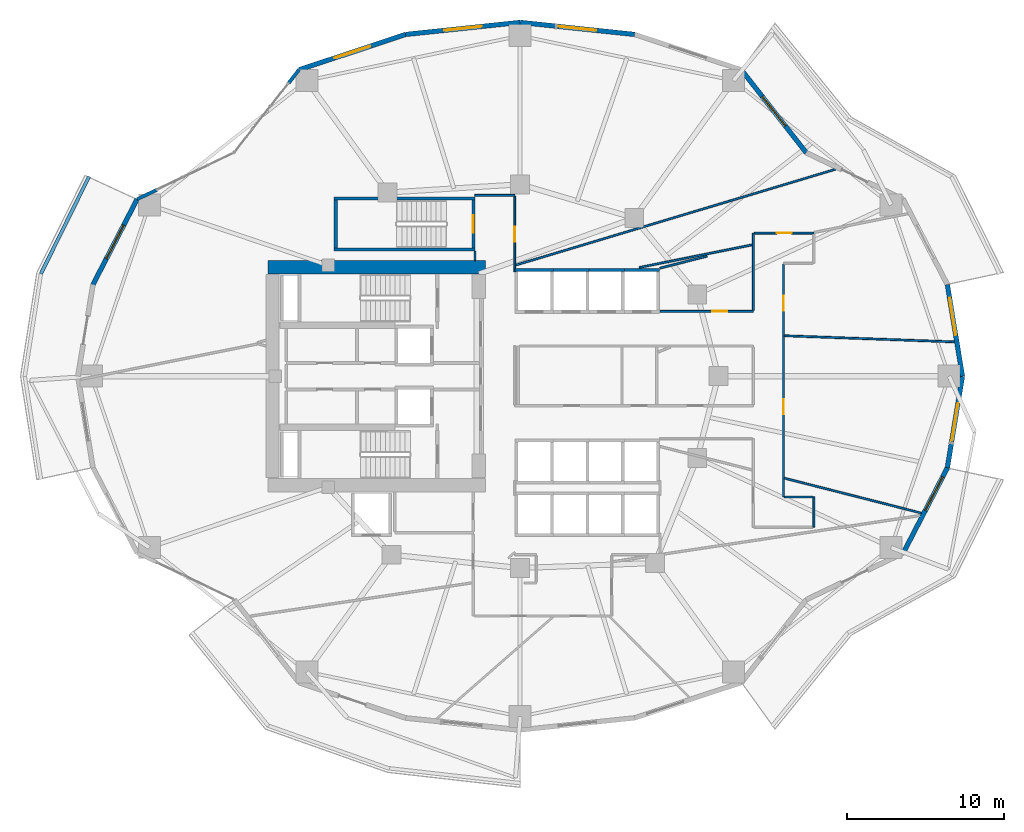
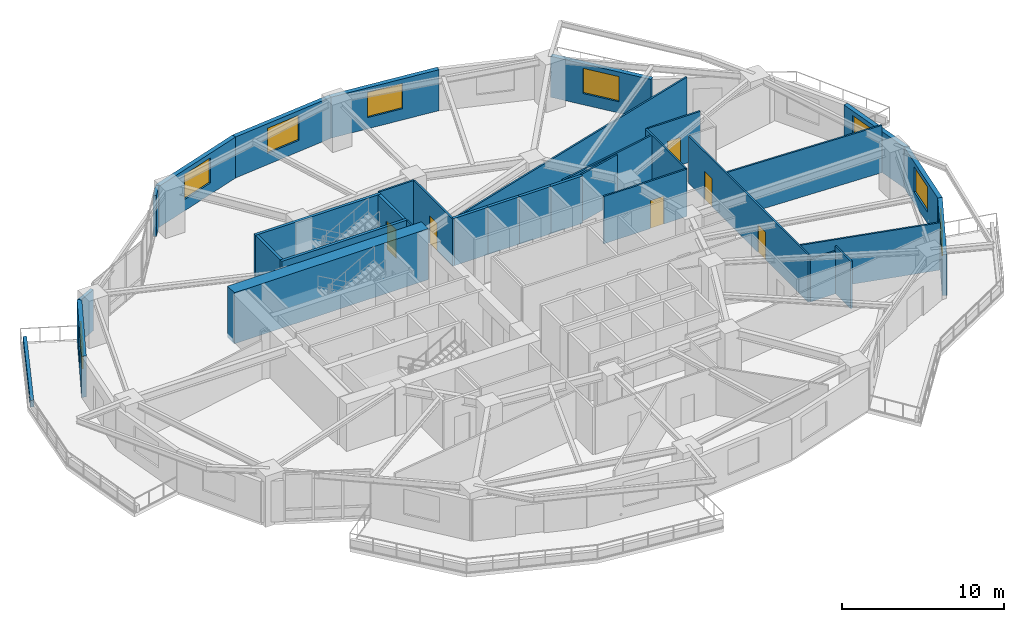
# One storey, part 9 of 14: 34 walls, 8 windows, 6 doors, 14 openings.
"""IFC4 building model written with IfcOpenShell, lengths in metres."""

from ifc_helpers import new_model, si_unit, direction, frame, frame_2d, origin, place, context, subcontext, project, spatial, rectangle, extrude, material, layer, layer_set, type_object, element, fill, save


model = new_model("IFC4")

# Units and contexts
model_context = context("Model", 3, precision=1e-05, world=origin(), true_north=direction((0.0, 1.0)))
body_context = subcontext(model_context, "Body", "Model", "MODEL_VIEW")
ifc_project = project(units=[si_unit("LENGTHUNIT", "METRE"), si_unit("AREAUNIT", "SQUARE_METRE"), si_unit("VOLUMEUNIT", "CUBIC_METRE"), si_unit("PLANEANGLEUNIT", "RADIAN"), si_unit("MASSUNIT", "GRAM", prefix="KILO")], contexts=[model_context])

# Site, building, storey
site_placement = place(None, origin())
site = spatial("IfcSite", under=ifc_project, at=site_placement, CompositionType="ELEMENT")
building_placement = place(site_placement, origin())
building = spatial("IfcBuilding", under=site, at=building_placement, Name="Kolvaren Gate Tower and Convention Centre", CompositionType="ELEMENT")
storey_placement = place(building_placement, frame((0.0, 0.0, 45.75)))
storey = spatial("IfcBuildingStorey", under=building, at=storey_placement, Name="L10", CompositionType="ELEMENT", Elevation=45.75)

# Walls
ifc_material_1 = material(Name="Fire-Rated Acoustic Gypsum Stud Partition", Category="gypsum")
ifc_layer_1 = layer(ifc_material_1, 0.1201171875)
ifc_layer_set_1 = layer_set([ifc_layer_1], Name="Fire-Rated Acoustic Gypsum Stud Partition")
wall_type_1 = type_object("IfcWallType", Name="ARCH-WL-PART-120", PredefinedType="PARTITIONING", material=ifc_layer_set_1)
wall_1_placement = place(storey_placement, frame((27.25, 34.35205078125, 0.0), z_axis=(0.0, 0.0, 1.0), x_axis=(0.0, 1.0, 0.0)))
element("IfcWall", 1, at=wall_1_placement, inside=storey, type_object=wall_type_1, Name="Interior Partition WL-L10-INT-021", PredefinedType="PARTITIONING", context=body_context, shape_type="SweptSolid", body=[
    extrude(rectangle(XDim=0.60595703125, YDim=0.1201171875, at=frame_2d((0.302978515625, 0.0))), origin(), (0.0, 0.0, 1.0), 3.570068359375),
])
wall_2_placement = place(storey_placement, frame((27.25, 38.5, 0.0), z_axis=(0.0, 0.0, 1.0), x_axis=(1.0, 0.0, 0.0)))
element("IfcWall", 2, at=wall_2_placement, inside=storey, type_object=wall_type_1, Name="Interior Partition WL-L10-INT-022", PredefinedType="PARTITIONING", context=body_context, shape_type="SweptSolid", body=[
    extrude(rectangle(XDim=2.530029296875, YDim=0.1201171875, at=frame_2d((1.26513671875, 0.0))), origin(), (0.0, 0.0, 1.0), 3.570068359375),
])

# Wall, opening, door
wall_3_placement = place(storey_placement, frame((29.780029296875, 33.639892578125, 0.0), z_axis=(0.0, 0.0, 1.0), x_axis=(0.0, 1.0, 0.0)))
wall_3 = element("IfcWall", 3, at=wall_3_placement, inside=storey, type_object=wall_type_1, Name="Interior Partition WL-L10-INT-025", PredefinedType="PARTITIONING", context=body_context, shape_type="SweptSolid", body=[
    extrude(rectangle(XDim=4.798095703125, YDim=0.1201171875, at=frame_2d((2.39892578125, 0.0))), origin(), (0.0, 0.0, 1.0), 3.570068359375),
])
opening_1_placement = place(wall_3_placement, frame((1.924072265625, 0.0, 0.0)))
opening_1 = element("IfcOpeningElement", 4, at=opening_1_placement, cuts=wall_3, Name="Opening DR-01", PredefinedType="OPENING", context=body_context, shape_type="SweptSolid", body=[
    extrude(rectangle(XDim=0.949951171875, YDim=2.10009765625, at=frame_2d((0.47509765625, 1.050048828125))), frame((0.0, 0.070068359375, 0.0), z_axis=(0.0, -1.0, 0.0), x_axis=(1.0, 0.0, 0.0)), (0.0, 0.0, 1.0), 0.14013671875),
])
ifc_material_2 = material(Name="Painted Architectural Steelwork ASTM A500 Grade C 345 MPa", Category="steel")
door_type_1 = type_object("IfcDoorType", Name="ARCH-DR-RISER-950", OperationType="SINGLE_SWING_RIGHT", PredefinedType="DOOR", material=ifc_material_2)
door_1_placement = place(opening_1_placement, origin())
door_1 = element("IfcDoor", 5, at=door_1_placement, inside=storey, type_object=door_type_1, Name="Open-Plan Office Suite Door", OperationType="SINGLE_SWING_RIGHT", OverallHeight=2.10009765625, OverallWidth=0.949951171875, PredefinedType="DOOR", context=body_context, shape_type="SweptSolid", body=[
    extrude(rectangle(XDim=0.949951171875, YDim=2.10009765625, at=frame_2d((0.47509765625, 1.050048828125))), frame((0.0, 0.02490234375, 0.0), z_axis=(0.0, -1.0, 0.0), x_axis=(1.0, 0.0, 0.0)), (0.0, 0.0, 1.0), 0.050048828125),
])
fill(opening_1, door_1)

wall_4_placement = place(storey_placement, frame((39.02001953125, 31.1201171875, 0.0), z_axis=(0.0, 0.0, 1.0), x_axis=(1.0, 0.0, 0.0)))
wall_4 = element("IfcWall", 6, at=wall_4_placement, inside=storey, type_object=wall_type_1, Name="Interior Partition WL-L10-INT-026", PredefinedType="PARTITIONING", context=body_context, shape_type="SweptSolid", body=[
    extrude(rectangle(XDim=5.929931640625, YDim=0.1201171875, at=frame_2d((2.96484375, 0.0))), origin(), (0.0, 0.0, 1.0), 3.570068359375),
])
opening_2_placement = place(wall_4_placement, frame((3.330078125, 0.0, 0.0)))
opening_2 = element("IfcOpeningElement", 7, at=opening_2_placement, cuts=wall_4, Name="Opening DR-01", PredefinedType="OPENING", context=body_context, shape_type="SweptSolid", body=[
    extrude(rectangle(XDim=0.949951171875, YDim=2.10009765625, at=frame_2d((0.47509765625, 1.050048828125))), frame((0.0, 0.070068359375, 0.0), z_axis=(0.0, -1.0, 0.0), x_axis=(1.0, 0.0, 0.0)), (0.0, 0.0, 1.0), 0.14013671875),
])
door_2_placement = place(opening_2_placement, origin())
door_2 = element("IfcDoor", 8, at=door_2_placement, inside=storey, type_object=door_type_1, Name="Quiet Reading Library Door", OperationType="SINGLE_SWING_RIGHT", OverallHeight=2.10009765625, OverallWidth=0.949951171875, PredefinedType="DOOR", context=body_context, shape_type="SweptSolid", body=[
    extrude(rectangle(XDim=0.949951171875, YDim=2.10009765625, at=frame_2d((0.47509765625, 1.050048828125))), frame((0.0, 0.02490234375, 0.0), z_axis=(0.0, -1.0, 0.0), x_axis=(1.0, 0.0, 0.0)), (0.0, 0.0, 1.0), 0.050048828125),
])
fill(opening_2, door_2)

# Wall
wall_5_placement = place(storey_placement, frame((44.949951171875, 31.181884765625, 0.0), z_axis=(0.0, 0.0, 1.0), x_axis=(0.0, 1.0, 0.0)))
element("IfcWall", 9, at=wall_5_placement, inside=storey, type_object=wall_type_1, Name="Interior Partition WL-L10-INT-029", PredefinedType="PARTITIONING", context=body_context, shape_type="SweptSolid", body=[
    extrude(rectangle(XDim=4.918212890625, YDim=0.1201171875, at=frame_2d((2.458984375, 0.0))), origin(), (0.0, 0.0, 1.0), 3.570068359375),
])

# Wall, opening, door
wall_6_placement = place(storey_placement, frame((45.011962890625, 36.10009765625, 0.0), z_axis=(0.0, 0.0, 1.0), x_axis=(1.0, 0.0, 0.0)))
wall_6 = element("IfcWall", 10, at=wall_6_placement, inside=storey, type_object=wall_type_1, Name="Interior Partition WL-L10-INT-030", PredefinedType="PARTITIONING", context=body_context, shape_type="SweptSolid", body=[
    extrude(rectangle(XDim=3.7880859375, YDim=0.1201171875, at=frame_2d((1.89404296875, 0.0))), origin(), (0.0, 0.0, 1.0), 3.570068359375),
])
opening_3_placement = place(wall_6_placement, frame((1.4189453125, 0.0, 0.0)))
opening_3 = element("IfcOpeningElement", 11, at=opening_3_placement, cuts=wall_6, Name="Opening DR-01", PredefinedType="OPENING", context=body_context, shape_type="SweptSolid", body=[
    extrude(rectangle(XDim=0.949951171875, YDim=2.10009765625, at=frame_2d((0.47509765625, 1.050048828125))), frame((0.0, 0.070068359375, 0.0), z_axis=(0.0, -1.0, 0.0), x_axis=(1.0, 0.0, 0.0)), (0.0, 0.0, 1.0), 0.14013671875),
])
door_3_placement = place(opening_3_placement, origin())
door_3 = element("IfcDoor", 12, at=door_3_placement, inside=storey, type_object=door_type_1, Name="Quiet Reading Clubroom Door", OperationType="SINGLE_SWING_LEFT", OverallHeight=2.10009765625, OverallWidth=0.949951171875, PredefinedType="DOOR", context=body_context, shape_type="SweptSolid", body=[
    extrude(rectangle(XDim=0.949951171875, YDim=2.10009765625, at=frame_2d((0.47509765625, 1.050048828125))), frame((0.0, 0.02490234375, 0.0), z_axis=(0.0, -1.0, 0.0), x_axis=(1.0, 0.0, 0.0)), (0.0, 0.0, 1.0), 0.050048828125),
])
fill(opening_3, door_3)

# Wall
wall_7_placement = place(storey_placement, frame((48.800048828125, 17.39990234375, 0.0), z_axis=(0.0, 0.0, 1.0), x_axis=(0.0, 1.0, 0.0)))
element("IfcWall", 13, at=wall_7_placement, inside=storey, type_object=wall_type_1, Name="Interior Partition WL-L10-INT-031", PredefinedType="PARTITIONING", context=body_context, shape_type="SweptSolid", body=[
    extrude(rectangle(XDim=1.920166015625, YDim=0.1201171875, at=frame_2d((0.9599609375, 0.0))), origin(), (0.0, 0.0, 1.0), 3.570068359375),
])

# Wall, openings, doors
wall_8_placement = place(storey_placement, frame((46.8701171875, 19.320068359375, 0.0), z_axis=(0.0, 0.0, 1.0), x_axis=(0.0, 1.0, 0.0)))
wall_8 = element("IfcWall", 14, at=wall_8_placement, inside=storey, type_object=wall_type_1, Name="Interior Partition WL-L10-INT-034", PredefinedType="PARTITIONING", context=body_context, shape_type="SweptSolid", body=[
    extrude(rectangle(XDim=14.7978515625, YDim=0.1201171875, at=frame_2d((7.39892578125, 0.0))), origin(), (0.0, 0.0, 1.0), 3.570068359375),
])
opening_4_placement = place(wall_8_placement, frame((5.264892578125, 0.0, 0.0)))
opening_4 = element("IfcOpeningElement", 15, at=opening_4_placement, cuts=wall_8, Name="Opening DR-01", PredefinedType="OPENING", context=body_context, shape_type="SweptSolid", body=[
    extrude(rectangle(XDim=0.949951171875, YDim=2.10009765625, at=frame_2d((0.47509765625, 1.050048828125))), frame((0.0, 0.070068359375, 0.0), z_axis=(0.0, -1.0, 0.0), x_axis=(1.0, 0.0, 0.0)), (0.0, 0.0, 1.0), 0.14013671875),
])
opening_5_placement = place(wall_8_placement, frame((11.845458984375, 0.0, 0.0)))
opening_5 = element("IfcOpeningElement", 16, at=opening_5_placement, cuts=wall_8, Name="Opening DR-01", PredefinedType="OPENING", context=body_context, shape_type="SweptSolid", body=[
    extrude(rectangle(XDim=0.949951171875, YDim=2.10009765625, at=frame_2d((0.47509765625, 1.050048828125))), frame((0.0, 0.070068359375, 0.0), z_axis=(0.0, -1.0, 0.0), x_axis=(1.0, 0.0, 0.0)), (0.0, 0.0, 1.0), 0.14013671875),
])
door_4_placement = place(opening_4_placement, origin())
door_4 = element("IfcDoor", 17, at=door_4_placement, inside=storey, type_object=door_type_1, Name="Open-Plan Office Suite Door", OperationType="SINGLE_SWING_LEFT", OverallHeight=2.10009765625, OverallWidth=0.949951171875, PredefinedType="DOOR", context=body_context, shape_type="SweptSolid", body=[
    extrude(rectangle(XDim=0.949951171875, YDim=2.10009765625, at=frame_2d((0.47509765625, 1.050048828125))), frame((0.0, 0.02490234375, 0.0), z_axis=(0.0, -1.0, 0.0), x_axis=(1.0, 0.0, 0.0)), (0.0, 0.0, 1.0), 0.050048828125),
])
fill(opening_4, door_4)
door_5_placement = place(opening_5_placement, origin())
door_5 = element("IfcDoor", 18, at=door_5_placement, inside=storey, type_object=door_type_1, Name="Staff Wellness Clubroom Door", OperationType="SINGLE_SWING_LEFT", OverallHeight=2.10009765625, OverallWidth=0.949951171875, PredefinedType="DOOR", context=body_context, shape_type="SweptSolid", body=[
    extrude(rectangle(XDim=0.949951171875, YDim=2.10009765625, at=frame_2d((0.47509765625, 1.050048828125))), frame((0.0, 0.02490234375, 0.0), z_axis=(0.0, -1.0, 0.0), x_axis=(1.0, 0.0, 0.0)), (0.0, 0.0, 1.0), 0.050048828125),
])
fill(opening_5, door_5)

# Walls
wall_9_placement = place(storey_placement, frame((46.931884765625, 19.320068359375, 0.0), z_axis=(0.0, 0.0, 1.0), x_axis=(1.0, 0.0, 0.0)))
element("IfcWall", 19, at=wall_9_placement, inside=storey, type_object=wall_type_1, Name="Interior Partition WL-L10-INT-035", PredefinedType="PARTITIONING", context=body_context, shape_type="SweptSolid", body=[
    extrude(rectangle(XDim=1.80615234375, YDim=0.1201171875, at=frame_2d((0.903076171875, 0.0))), origin(), (0.0, 0.0, 1.0), 3.205078125),
])
wall_10_placement = place(storey_placement, frame((37.697998046875, 33.912109375, 0.0), z_axis=(0.0, 0.0, 1.0), x_axis=(0.980510182708, 0.196468271245, 0.0)))
element("IfcWall", 20, at=wall_10_placement, inside=storey, type_object=wall_type_1, Name="Interior Partition WL-L10-INT-043", PredefinedType="PARTITIONING", context=body_context, shape_type="SweptSolid", body=[
    extrude(rectangle(XDim=7.332763671875, YDim=0.1201171875, at=frame_2d((3.66650390625, 0.0))), origin(), (0.0, 0.0, 1.0), 3.570068359375),
])
wall_11_placement = place(storey_placement, frame((46.931884765625, 20.512451171875, 0.0), z_axis=(0.0, 0.0, 1.0), x_axis=(0.969002278344, -0.247051785187, 0.0)))
element("IfcWall", 21, at=wall_11_placement, inside=storey, type_object=wall_type_1, Name="Interior Partition WL-L10-INT-047", PredefinedType="PARTITIONING", context=body_context, shape_type="SweptSolid", body=[
    extrude(rectangle(XDim=8.97509765625, YDim=0.1201171875, at=frame_2d((4.487548828125, 0.0))), origin(), (0.0, 0.0, 1.0), 3.570068359375),
])
wall_12_placement = place(storey_placement, frame((46.931884765625, 29.57080078125, 0.0), z_axis=(0.0, 0.0, 1.0), x_axis=(0.999348798182, -0.036082954031, 0.0)))
element("IfcWall", 22, at=wall_12_placement, inside=storey, type_object=wall_type_1, Name="Interior Partition WL-L10-INT-052", PredefinedType="PARTITIONING", context=body_context, shape_type="SweptSolid", body=[
    extrude(rectangle(XDim=10.812255859375, YDim=0.1201171875, at=frame_2d((5.40625, 0.0))), origin(), (0.0, 0.0, 1.0), 3.570068359375),
])
wall_13_placement = place(storey_placement, frame((39.02001953125, 33.8701171875, 0.0), z_axis=(0.0, 0.0, 1.0), x_axis=(0.969711955751, 0.244251351837, 0.0)))
element("IfcWall", 23, at=wall_13_placement, inside=storey, type_object=wall_type_1, Name="Interior Partition WL-L10-INT-054", PredefinedType="PARTITIONING", context=body_context, shape_type="SweptSolid", body=[
    extrude(rectangle(XDim=3.07958984375, YDim=0.1201171875, at=frame_2d((1.539794921875, 0.0))), origin(), (0.0, 0.0, 1.0), 3.570068359375),
])
wall_14_placement = place(storey_placement, frame((29.842041015625, 34.0576171875, 0.0), z_axis=(0.0, 0.0, 1.0), x_axis=(0.957798094038, 0.287441839435, 0.0)))
element("IfcWall", 24, at=wall_14_placement, inside=storey, type_object=wall_type_1, Name="Interior Partition WL-L10-INT-056", PredefinedType="PARTITIONING", context=body_context, shape_type="SweptSolid", body=[
    extrude(rectangle(XDim=21.217041015625, YDim=0.1201171875, at=frame_2d((10.6083984375, 0.0))), origin(), (0.0, 0.0, 1.0), 3.205078125),
])
ifc_material_3 = material(Name="Bogota Sabana Bush-Hammered Sandstone Cladding", Category="masonry")
ifc_layer_2 = layer(ifc_material_3, 0.219970703125)
ifc_layer_set_2 = layer_set([ifc_layer_2], Name="Bogota Sabana Bush-Hammered Sandstone Cladding")
wall_type_2 = type_object("IfcWallType", Name="ARCH-WL-PIER-220", PredefinedType="SOLIDWALL", material=ifc_layer_set_2)
wall_15_placement = place(storey_placement, frame((15.39892578125, 45.63818359375, 0.0), z_axis=(0.0, 0.0, 1.0), x_axis=(0.616528421162, 0.787332652632, 0.0)))
element("IfcWall", 25, at=wall_15_placement, inside=storey, type_object=wall_type_2, Name="Tower L10 Unitised Curtain Wall CW-OFF-UNIT Bay 08 Right Column Pier Wrap", PredefinedType="SOLIDWALL", context=body_context, shape_type="SweptSolid", body=[
    extrude(rectangle(XDim=1.076416015625, YDim=0.219970703125, at=frame_2d((0.5380859375, 0.0))), origin(), (0.0, 0.0, 1.0), 3.093017578125),
])
wall_16_placement = place(storey_placement, frame((5.76806640625, 38.25, 0.0), z_axis=(0.0, 0.0, 1.0), x_axis=(0.90131879969, 0.433156347438, 0.0)))
element("IfcWall", 26, at=wall_16_placement, inside=storey, type_object=wall_type_2, Name="Tower L10 Unitised Curtain Wall CW-OFF-UNIT Bay 09 Left Column Pier Wrap", PredefinedType="SOLIDWALL", context=body_context, shape_type="SweptSolid", body=[
    extrude(rectangle(XDim=1.380859375, YDim=0.219970703125, at=frame_2d((0.6904296875, 0.0))), origin(), (0.0, 0.0, 1.0), 3.093017578125),
])
ifc_material_4 = material(Name="Piedmont Cream Honed Limestone Cladding", Category="masonry")
ifc_layer_3 = layer(ifc_material_4, 0.219970703125)
ifc_layer_set_3 = layer_set([ifc_layer_3], Name="Piedmont Cream Honed Limestone Cladding")
wall_type_3 = type_object("IfcWallType", Name="ARCH-WL-PLANTER-220", PredefinedType="PARAPET", material=ifc_layer_set_3)
wall_17_placement = place(storey_placement, frame((-0.3544921875, 33.50244140625, 0.0), z_axis=(0.0, 0.0, 1.0), x_axis=(0.443578479433, 0.8962355341, 0.0)))
element("IfcWall", 27, at=wall_17_placement, inside=storey, type_object=wall_type_3, Name="Vertical-Forest Balcony Stone Planter Kerb PK-L10-2.1", PredefinedType="PARAPET", context=body_context, shape_type="SweptSolid", body=[
    extrude(rectangle(XDim=6.9111328125, YDim=0.219970703125, at=frame_2d((3.45556640625, 0.0))), origin(), (0.0, 0.0, 1.0), 0.52001953125),
])
ifc_material_5 = material(Name="Autoclaved Aerated Masonry Blockwork Class 4 (4.0 MPa)", Category="masonry")
ifc_layer_4 = layer(ifc_material_5, 0.199951171875)
ifc_layer_set_4 = layer_set([ifc_layer_4], Name="Autoclaved Aerated Masonry Blockwork Class 4 (4.0 MPa)")
wall_type_4 = type_object("IfcWallType", Name="ARCH-WL-SHAFT-200", PredefinedType="SOLIDWALL", material=ifc_layer_set_4)
wall_18_placement = place(storey_placement, frame((29.800048828125, 33.75, 0.0), z_axis=(0.0, 0.0, 1.0), x_axis=(1.0, 0.0, 0.0)))
element("IfcWall", 28, at=wall_18_placement, inside=storey, type_object=wall_type_4, Name="Elevator PL-01 L10 Fire Shaft Wall N", PredefinedType="SOLIDWALL", context=body_context, shape_type="SweptSolid", body=[
    extrude(rectangle(XDim=2.449951171875, YDim=0.199951171875, at=frame_2d((1.22509765625, 0.0))), origin(), (0.0, 0.0, 1.0), 3.570068359375),
])
for number, where, z_axis, x_axis, name in (
    (29, (32.25, 33.75, 0.0), (0.0, 0.0, 1.0), (1.0, 0.0, 0.0), "Elevator PL-02 L10 Fire Shaft Wall N"),
    (30, (34.5, 33.75, 0.0), (0.0, 0.0, 1.0), (1.0, 0.0, 0.0), "Elevator PL-03 L10 Fire Shaft Wall N"),
    (31, (36.75, 33.75, 0.0), (0.0, 0.0, 1.0), (1.0, 0.0, 0.0), "Elevator PL-04 L10 Fire Shaft Wall N"),
):
    element("IfcWall", number, at=place(storey_placement, frame(where, z_axis=z_axis, x_axis=x_axis)), inside=storey, type_object=wall_type_4, Name=name, PredefinedType="SOLIDWALL", context=body_context, shape_type="SweptSolid", body=[
        extrude(rectangle(XDim=2.25, YDim=0.199951171875, at=frame_2d((1.125, 0.0))), origin(), (0.0, 0.0, 1.0), 3.570068359375),
    ])

# Wall, opening, window
ifc_layer_5 = layer(ifc_material_4, 0.300048828125)
ifc_layer_set_5 = layer_set([ifc_layer_5], Name="Piedmont Cream Honed Limestone Cladding")
wall_type_5 = type_object("IfcWallType", Name="ARCH-WL-STONE-300", PredefinedType="SOLIDWALL", material=ifc_layer_set_5)
wall_19_placement = place(storey_placement, frame((57.291748046875, 32.823486328125, 0.0), z_axis=(0.0, 0.0, 1.0), x_axis=(0.162366057843, -0.98673059305, 0.0)))
wall_19 = element("IfcWall", 32, at=wall_19_placement, inside=storey, type_object=wall_type_5, Name="Tower L10 Honed Stone Spandrel Wall EW-00", PredefinedType="SOLIDWALL", context=body_context, shape_type="SweptSolid", body=[
    extrude(rectangle(XDim=5.90185546875, YDim=0.300048828125, at=frame_2d((2.950927734375, 0.0))), origin(), (0.0, 0.0, 1.0), 3.093017578125),
])
opening_6_placement = place(wall_19_placement, frame((0.85009765625, 0.0, 0.85009765625)))
opening_6 = element("IfcOpeningElement", 33, at=opening_6_placement, cuts=wall_19, Name="Opening W-01", PredefinedType="OPENING", context=body_context, shape_type="SweptSolid", body=[
    extrude(rectangle(XDim=2.39990234375, YDim=1.89990234375, at=frame_2d((1.199951171875, 0.949951171875))), frame((0.0, 0.159912109375, 0.0), z_axis=(0.0, -1.0, 0.0), x_axis=(1.0, 0.0, 0.0)), (0.0, 0.0, 1.0), 0.320068359375),
])
ifc_material_6 = material(Name="Low-E Triple Insulated Glazing Unit 44 mm", Category="glass")
window_type = type_object("IfcWindowType", Name="ARCH-WN-OFF-2400", PartitioningType="SINGLE_PANEL", PredefinedType="WINDOW", material=ifc_material_6)
window_1_placement = place(opening_6_placement, origin())
window_1 = element("IfcWindow", 34, at=window_1_placement, inside=storey, type_object=window_type, Name="Tower L10 Punched Stone Facade Window W-00", OverallHeight=1.89990234375, OverallWidth=2.39990234375, PartitioningType="SINGLE_PANEL", PredefinedType="WINDOW", context=body_context, shape_type="SweptSolid", body=[
    extrude(rectangle(XDim=2.39990234375, YDim=1.89990234375, at=frame_2d((1.199951171875, 0.949951171875))), frame((0.0, 0.030029296875, 0.0), z_axis=(0.0, -1.0, 0.0), x_axis=(1.0, 0.0, 0.0)), (0.0, 0.0, 1.0), 0.06005859375),
])
fill(opening_6, window_1)

wall_20_placement = place(storey_placement, frame((44.1875, 46.485595703125, 0.0), z_axis=(0.0, 0.0, 1.0), x_axis=(0.616421309777, -0.787416515482, 0.0)))
wall_20 = element("IfcWall", 35, at=wall_20_placement, inside=storey, type_object=wall_type_5, Name="Tower L10 Honed Stone Spandrel Wall EW-03", PredefinedType="SOLIDWALL", context=body_context, shape_type="SweptSolid", body=[
    extrude(rectangle(XDim=6.6962890625, YDim=0.300048828125, at=frame_2d((3.34814453125, 0.0))), origin(), (0.0, 0.0, 1.0), 3.093017578125),
])
opening_7_placement = place(wall_20_placement, frame((2.14794921875, 0.0, 0.85009765625)))
opening_7 = element("IfcOpeningElement", 36, at=opening_7_placement, cuts=wall_20, Name="Opening W-01", PredefinedType="OPENING", context=body_context, shape_type="SweptSolid", body=[
    extrude(rectangle(XDim=2.39990234375, YDim=1.89990234375, at=frame_2d((1.199951171875, 0.949951171875))), frame((0.0, 0.159912109375, 0.0), z_axis=(0.0, -1.0, 0.0), x_axis=(1.0, 0.0, 0.0)), (0.0, 0.0, 1.0), 0.320068359375),
])
window_2_placement = place(opening_7_placement, origin())
window_2 = element("IfcWindow", 37, at=window_2_placement, inside=storey, type_object=window_type, Name="Tower L10 Punched Stone Facade Window W-03", OverallHeight=1.89990234375, OverallWidth=2.39990234375, PartitioningType="SINGLE_PANEL", PredefinedType="WINDOW", context=body_context, shape_type="SweptSolid", body=[
    extrude(rectangle(XDim=2.39990234375, YDim=1.89990234375, at=frame_2d((1.199951171875, 0.949951171875))), frame((0.0, 0.030029296875, 0.0), z_axis=(0.0, -1.0, 0.0), x_axis=(1.0, 0.0, 0.0)), (0.0, 0.0, 1.0), 0.06005859375),
])
fill(opening_7, window_2)

wall_21_placement = place(storey_placement, frame((30.125, 49.5, 0.0), z_axis=(0.0, 0.0, 1.0), x_axis=(0.994500334317, -0.104733399844, 0.0)))
wall_21 = element("IfcWall", 38, at=wall_21_placement, inside=storey, type_object=wall_type_5, Name="Tower L10 Honed Stone Spandrel Wall EW-05", PredefinedType="SOLIDWALL", context=body_context, shape_type="SweptSolid", body=[
    extrude(rectangle(XDim=7.319580078125, YDim=0.300048828125, at=frame_2d((3.65966796875, 0.0))), origin(), (0.0, 0.0, 1.0), 3.093017578125),
])
opening_8_placement = place(wall_21_placement, frame((2.4599609375, 0.0, 0.85009765625)))
opening_8 = element("IfcOpeningElement", 39, at=opening_8_placement, cuts=wall_21, Name="Opening W-01", PredefinedType="OPENING", context=body_context, shape_type="SweptSolid", body=[
    extrude(rectangle(XDim=2.39990234375, YDim=1.89990234375, at=frame_2d((1.199951171875, 0.949951171875))), frame((0.0, 0.159912109375, 0.0), z_axis=(0.0, -1.0, 0.0), x_axis=(1.0, 0.0, 0.0)), (0.0, 0.0, 1.0), 0.320068359375),
])
window_3_placement = place(opening_8_placement, origin())
window_3 = element("IfcWindow", 40, at=window_3_placement, inside=storey, type_object=window_type, Name="Tower L10 Punched Stone Facade Window W-05", OverallHeight=1.89990234375, OverallWidth=2.39990234375, PartitioningType="SINGLE_PANEL", PredefinedType="WINDOW", context=body_context, shape_type="SweptSolid", body=[
    extrude(rectangle(XDim=2.39990234375, YDim=1.89990234375, at=frame_2d((1.199951171875, 0.949951171875))), frame((0.0, 0.030029296875, 0.0), z_axis=(0.0, -1.0, 0.0), x_axis=(1.0, 0.0, 0.0)), (0.0, 0.0, 1.0), 0.06005859375),
])
fill(opening_8, window_3)

wall_22_placement = place(storey_placement, frame((22.845703125, 48.7333984375, 0.0), z_axis=(0.0, 0.0, 1.0), x_axis=(0.994500334317, 0.104733399844, 0.0)))
wall_22 = element("IfcWall", 41, at=wall_22_placement, inside=storey, type_object=wall_type_5, Name="Tower L10 Honed Stone Spandrel Wall EW-06", PredefinedType="SOLIDWALL", context=body_context, shape_type="SweptSolid", body=[
    extrude(rectangle(XDim=7.319580078125, YDim=0.300048828125, at=frame_2d((3.65966796875, 0.0))), origin(), (0.0, 0.0, 1.0), 3.093017578125),
])
opening_9_placement = place(wall_22_placement, frame((2.4599609375, 0.0, 0.85009765625)))
opening_9 = element("IfcOpeningElement", 42, at=opening_9_placement, cuts=wall_22, Name="Opening W-01", PredefinedType="OPENING", context=body_context, shape_type="SweptSolid", body=[
    extrude(rectangle(XDim=2.39990234375, YDim=1.89990234375, at=frame_2d((1.199951171875, 0.949951171875))), frame((0.0, 0.159912109375, 0.0), z_axis=(0.0, -1.0, 0.0), x_axis=(1.0, 0.0, 0.0)), (0.0, 0.0, 1.0), 0.320068359375),
])
window_4_placement = place(opening_9_placement, origin())
window_4 = element("IfcWindow", 43, at=window_4_placement, inside=storey, type_object=window_type, Name="Tower L10 Punched Stone Facade Window W-06", OverallHeight=1.89990234375, OverallWidth=2.39990234375, PartitioningType="SINGLE_PANEL", PredefinedType="WINDOW", context=body_context, shape_type="SweptSolid", body=[
    extrude(rectangle(XDim=2.39990234375, YDim=1.89990234375, at=frame_2d((1.199951171875, 0.949951171875))), frame((0.0, 0.030029296875, 0.0), z_axis=(0.0, -1.0, 0.0), x_axis=(1.0, 0.0, 0.0)), (0.0, 0.0, 1.0), 0.06005859375),
])
fill(opening_9, window_4)

wall_23_placement = place(storey_placement, frame((16.0625, 46.485595703125, 0.0), z_axis=(0.0, 0.0, 1.0), x_axis=(0.949238715533, 0.31455661006, 0.0)))
wall_23 = element("IfcWall", 44, at=wall_23_placement, inside=storey, type_object=wall_type_5, Name="Tower L10 Honed Stone Spandrel Wall EW-07", PredefinedType="SOLIDWALL", context=body_context, shape_type="SweptSolid", body=[
    extrude(rectangle(XDim=7.14599609375, YDim=0.300048828125, at=frame_2d((3.572998046875, 0.0))), origin(), (0.0, 0.0, 1.0), 3.093017578125),
])
opening_10_placement = place(wall_23_placement, frame((2.373046875, 0.0, 0.85009765625)))
opening_10 = element("IfcOpeningElement", 45, at=opening_10_placement, cuts=wall_23, Name="Opening W-01", PredefinedType="OPENING", context=body_context, shape_type="SweptSolid", body=[
    extrude(rectangle(XDim=2.39990234375, YDim=1.89990234375, at=frame_2d((1.199951171875, 0.949951171875))), frame((0.0, 0.159912109375, 0.0), z_axis=(0.0, -1.0, 0.0), x_axis=(1.0, 0.0, 0.0)), (0.0, 0.0, 1.0), 0.320068359375),
])
window_5_placement = place(opening_10_placement, origin())
window_5 = element("IfcWindow", 46, at=window_5_placement, inside=storey, type_object=window_type, Name="Tower L10 Punched Stone Facade Window W-07", OverallHeight=1.89990234375, OverallWidth=2.39990234375, PartitioningType="SINGLE_PANEL", PredefinedType="WINDOW", context=body_context, shape_type="SweptSolid", body=[
    extrude(rectangle(XDim=2.39990234375, YDim=1.89990234375, at=frame_2d((1.199951171875, 0.949951171875))), frame((0.0, 0.030029296875, 0.0), z_axis=(0.0, -1.0, 0.0), x_axis=(1.0, 0.0, 0.0)), (0.0, 0.0, 1.0), 0.06005859375),
])
fill(opening_10, window_5)

wall_24_placement = place(storey_placement, frame((2.958251953125, 32.823486328125, 0.0), z_axis=(0.0, 0.0, 1.0), x_axis=(0.459809804413, 0.88801742312, 0.0)))
wall_24 = element("IfcWall", 47, at=wall_24_placement, inside=storey, type_object=wall_type_5, Name="Tower L10 Honed Stone Spandrel Wall EW-10", PredefinedType="SOLIDWALL", context=body_context, shape_type="SweptSolid", body=[
    extrude(rectangle(XDim=6.11083984375, YDim=0.300048828125, at=frame_2d((3.055419921875, 0.0))), origin(), (0.0, 0.0, 1.0), 3.093017578125),
])
opening_11_placement = place(wall_24_placement, frame((1.85498046875, 0.0, 0.85009765625)))
opening_11 = element("IfcOpeningElement", 48, at=opening_11_placement, cuts=wall_24, Name="Opening W-01", PredefinedType="OPENING", context=body_context, shape_type="SweptSolid", body=[
    extrude(rectangle(XDim=2.39990234375, YDim=1.89990234375, at=frame_2d((1.199951171875, 0.949951171875))), frame((0.0, 0.159912109375, 0.0), z_axis=(0.0, -1.0, 0.0), x_axis=(1.0, 0.0, 0.0)), (0.0, 0.0, 1.0), 0.320068359375),
])
window_6_placement = place(opening_11_placement, origin())
window_6 = element("IfcWindow", 49, at=window_6_placement, inside=storey, type_object=window_type, Name="Tower L10 Punched Stone Facade Window W-10", OverallHeight=1.89990234375, OverallWidth=2.39990234375, PartitioningType="SINGLE_PANEL", PredefinedType="WINDOW", context=body_context, shape_type="SweptSolid", body=[
    extrude(rectangle(XDim=2.39990234375, YDim=1.89990234375, at=frame_2d((1.199951171875, 0.949951171875))), frame((0.0, 0.030029296875, 0.0), z_axis=(0.0, -1.0, 0.0), x_axis=(1.0, 0.0, 0.0)), (0.0, 0.0, 1.0), 0.06005859375),
])
fill(opening_11, window_6)

wall_25_placement = place(storey_placement, frame((54.48193359375, 15.75, 0.0), z_axis=(0.0, 0.0, 1.0), x_axis=(0.459809804413, 0.88801742312, 0.0)))
wall_25 = element("IfcWall", 50, at=wall_25_placement, inside=storey, type_object=wall_type_5, Name="Tower L10 Honed Stone Spandrel Wall EW-22", PredefinedType="SOLIDWALL", context=body_context, shape_type="SweptSolid", body=[
    extrude(rectangle(XDim=6.11083984375, YDim=0.300048828125, at=frame_2d((3.055419921875, 0.0))), origin(), (0.0, 0.0, 1.0), 3.093017578125),
])
opening_12_placement = place(wall_25_placement, frame((3.050048828125, 0.0, 0.85009765625)))
opening_12 = element("IfcOpeningElement", 51, at=opening_12_placement, cuts=wall_25, Name="Opening W-01", PredefinedType="OPENING", context=body_context, shape_type="SweptSolid", body=[
    extrude(rectangle(XDim=2.39990234375, YDim=1.89990234375, at=frame_2d((1.199951171875, 0.949951171875))), frame((0.0, 0.159912109375, 0.0), z_axis=(0.0, -1.0, 0.0), x_axis=(1.0, 0.0, 0.0)), (0.0, 0.0, 1.0), 0.320068359375),
])
window_7_placement = place(opening_12_placement, origin())
window_7 = element("IfcWindow", 52, at=window_7_placement, inside=storey, type_object=window_type, Name="Tower L10 Punched Stone Facade Window W-22", OverallHeight=1.89990234375, OverallWidth=2.39990234375, PartitioningType="SINGLE_PANEL", PredefinedType="WINDOW", context=body_context, shape_type="SweptSolid", body=[
    extrude(rectangle(XDim=2.39990234375, YDim=1.89990234375, at=frame_2d((1.199951171875, 0.949951171875))), frame((0.0, 0.030029296875, 0.0), z_axis=(0.0, -1.0, 0.0), x_axis=(1.0, 0.0, 0.0)), (0.0, 0.0, 1.0), 0.06005859375),
])
fill(opening_12, window_7)

wall_26_placement = place(storey_placement, frame((57.291748046875, 21.176513671875, 0.0), z_axis=(0.0, 0.0, 1.0), x_axis=(0.162366057843, 0.98673059305, 0.0)))
wall_26 = element("IfcWall", 53, at=wall_26_placement, inside=storey, type_object=wall_type_5, Name="Tower L10 Honed Stone Spandrel Wall EW-23", PredefinedType="SOLIDWALL", context=body_context, shape_type="SweptSolid", body=[
    extrude(rectangle(XDim=5.90185546875, YDim=0.300048828125, at=frame_2d((2.950927734375, 0.0))), origin(), (0.0, 0.0, 1.0), 3.093017578125),
])
opening_13_placement = place(wall_26_placement, frame((1.7509765625, 0.0, 0.85009765625)))
opening_13 = element("IfcOpeningElement", 54, at=opening_13_placement, cuts=wall_26, Name="Opening W-01", PredefinedType="OPENING", context=body_context, shape_type="SweptSolid", body=[
    extrude(rectangle(XDim=2.39990234375, YDim=1.89990234375, at=frame_2d((1.199951171875, 0.949951171875))), frame((0.0, 0.159912109375, 0.0), z_axis=(0.0, -1.0, 0.0), x_axis=(1.0, 0.0, 0.0)), (0.0, 0.0, 1.0), 0.320068359375),
])
window_8_placement = place(opening_13_placement, origin())
window_8 = element("IfcWindow", 55, at=window_8_placement, inside=storey, type_object=window_type, Name="Tower L10 Punched Stone Facade Window W-23", OverallHeight=1.89990234375, OverallWidth=2.39990234375, PartitioningType="SINGLE_PANEL", PredefinedType="WINDOW", context=body_context, shape_type="SweptSolid", body=[
    extrude(rectangle(XDim=2.39990234375, YDim=1.89990234375, at=frame_2d((1.199951171875, 0.949951171875))), frame((0.0, 0.030029296875, 0.0), z_axis=(0.0, -1.0, 0.0), x_axis=(1.0, 0.0, 0.0)), (0.0, 0.0, 1.0), 0.06005859375),
])
fill(opening_13, window_8)

# Wall
ifc_material_7 = material(Name="Concrete C70/85", Category="concrete")
ifc_layer_6 = layer(ifc_material_7, 0.85009765625)
ifc_layer_set_6 = layer_set([ifc_layer_6], Name="Concrete C70/85")
wall_type_6 = type_object("IfcWallType", Name="STR-WL-CORE-850", PredefinedType="SHEAR", material=ifc_layer_set_6)
wall_27_placement = place(storey_placement, frame((14.074951171875, 33.925048828125, -0.280029296875), z_axis=(0.0, 0.0, 1.0), x_axis=(1.0, 0.0, 0.0)))
element("IfcWall", 56, at=wall_27_placement, inside=storey, type_object=wall_type_6, Name="Tower L10 Offset Core Shear Wall N", PredefinedType="SHEAR", context=body_context, shape_type="SweptSolid", body=[
    extrude(rectangle(XDim=13.85009765625, YDim=0.85009765625, at=frame_2d((6.925048828125, 0.0))), origin(), (0.0, 0.0, 1.0), 3.85009765625),
])

# Wall, opening, door
ifc_material_8 = material(Name="Concrete C50/60", Category="concrete")
ifc_layer_7 = layer(ifc_material_8, 0.199951171875)
ifc_layer_set_7 = layer_set([ifc_layer_7], Name="Concrete C50/60")
wall_type_7 = type_object("IfcWallType", Name="STR-WL-SHAFT-200", PredefinedType="SHEAR", material=ifc_layer_set_7)
wall_28_placement = place(storey_placement, frame((27.14990234375, 35.159912109375, -0.280029296875), z_axis=(0.0, 0.0, 1.0), x_axis=(0.0, 1.0, 0.0)))
wall_28 = element("IfcWall", 57, at=wall_28_placement, inside=storey, type_object=wall_type_7, Name="Tower Mid-Zone Exit Stair ST-T3 L10 Structural Shear Enclosure Wall NEAR", PredefinedType="SHEAR", context=body_context, shape_type="SweptSolid", body=[
    extrude(rectangle(XDim=3.0400390625, YDim=0.199951171875, at=frame_2d((1.52001953125, 0.0))), origin(), (0.0, 0.0, 1.0), 3.85009765625),
])
opening_14_placement = place(wall_28_placement, frame((0.969970703125, 0.0, 0.280029296875)))
opening_14 = element("IfcOpeningElement", 58, at=opening_14_placement, cuts=wall_28, Name="Opening DS-01", PredefinedType="OPENING", context=body_context, shape_type="SweptSolid", body=[
    extrude(rectangle(XDim=1.10009765625, YDim=2.14990234375, at=frame_2d((0.550048828125, 1.074951171875))), frame((0.0, 0.10986328125, 0.0), z_axis=(0.0, -1.0, 0.0), x_axis=(1.0, 0.0, 0.0)), (0.0, 0.0, 1.0), 0.219970703125),
])
door_type_2 = type_object("IfcDoorType", Name="ARCH-DR-STAIR-1100", OperationType="SINGLE_SWING_LEFT", PredefinedType="DOOR", material=ifc_material_2)
door_6_placement = place(opening_14_placement, origin())
door_6 = element("IfcDoor", 59, at=door_6_placement, inside=storey, type_object=door_type_2, Name="Tower Mid-Zone Exit Stair ST-T3 L10 Fire Exit Stair Door", OperationType="SINGLE_SWING_RIGHT", OverallHeight=2.14990234375, OverallWidth=1.10009765625, PredefinedType="DOOR", context=body_context, shape_type="SweptSolid", body=[
    extrude(rectangle(XDim=1.10009765625, YDim=2.14990234375, at=frame_2d((0.550048828125, 1.074951171875))), frame((0.0, 0.02490234375, 0.0), z_axis=(0.0, -1.0, 0.0), x_axis=(1.0, 0.0, 0.0)), (0.0, 0.0, 1.0), 0.050048828125),
])
fill(opening_14, door_6)

# Walls
wall_29_placement = place(storey_placement, frame((18.39990234375, 35.159912109375, -0.280029296875), z_axis=(0.0, 0.0, 1.0), x_axis=(0.0, 1.0, 0.0)))
element("IfcWall", 60, at=wall_29_placement, inside=storey, type_object=wall_type_7, Name="Tower Mid-Zone Exit Stair ST-T3 L10 Structural Shear Enclosure Wall FAR", PredefinedType="SHEAR", context=body_context, shape_type="SweptSolid", body=[
    extrude(rectangle(XDim=3.0400390625, YDim=0.199951171875, at=frame_2d((1.52001953125, 0.0))), origin(), (0.0, 0.0, 1.0), 3.85009765625),
])
for number, where, z_axis, x_axis, name in (
    (61, (18.300048828125, 38.300048828125, -0.280029296875), (0.0, 0.0, 1.0), (1.0, 0.0, 0.0), "Tower Mid-Zone Exit Stair ST-T3 L10 Structural Shear Enclosure Wall LEFT"),
    (62, (18.300048828125, 35.06005859375, -0.280029296875), (0.0, 0.0, 1.0), (1.0, 0.0, 0.0), "Tower Mid-Zone Exit Stair ST-T3 L10 Structural Shear Enclosure Wall RGHT"),
):
    element("IfcWall", number, at=place(storey_placement, frame(where, z_axis=z_axis, x_axis=x_axis)), inside=storey, type_object=wall_type_7, Name=name, PredefinedType="SHEAR", context=body_context, shape_type="SweptSolid", body=[
        extrude(rectangle(XDim=8.949951171875, YDim=0.199951171875, at=frame_2d((4.47509765625, 0.0))), origin(), (0.0, 0.0, 1.0), 3.85009765625),
    ])

save(model, "model.ifc")
